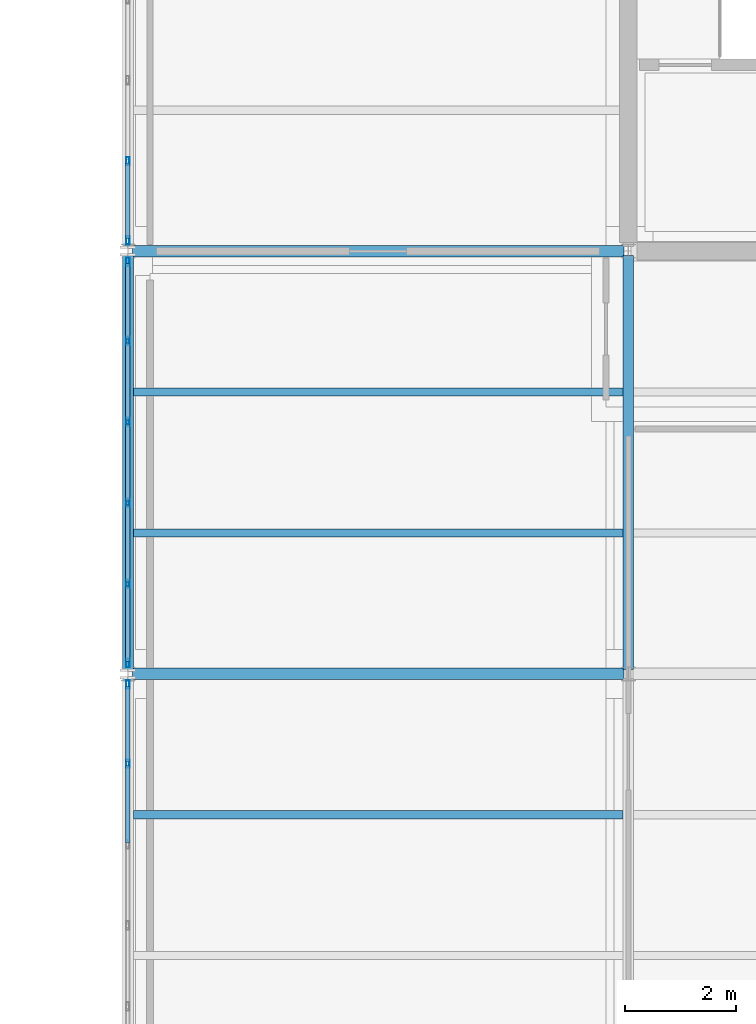
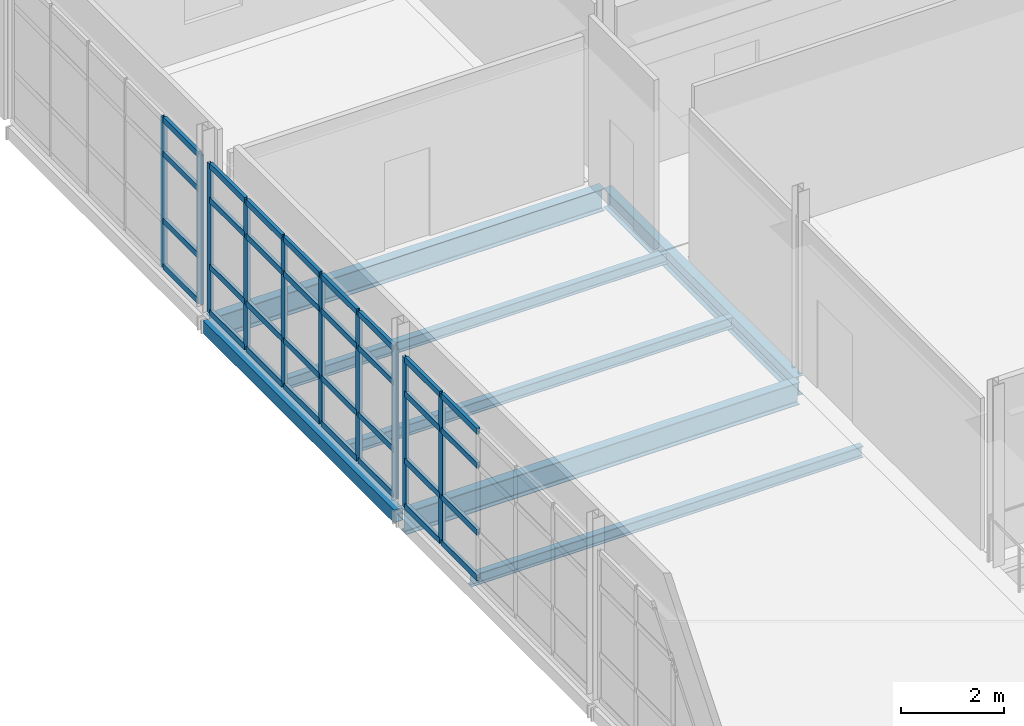
# One storey, part 25 of 48: 42 members, 7 beams, 3 elements without a shape of their own.
"""IFC4 building model written with IfcOpenShell, lengths in metres."""

from ifc_helpers import new_model, si_unit, direction, frame, origin, origin_2d, place, context, subcontext, project, spatial, hollow_rectangle, i_section, extrude, material, material_profile, profile_set, type_object, element, aggregate, save


model = new_model("IFC4")

# Units and contexts
model_context = context("Model", 3, precision=1e-05, world=origin(), true_north=direction((0.0, 1.0)))
body_context = subcontext(model_context, "Body", "Model", "MODEL_VIEW")
ifc_project = project(units=[si_unit("LENGTHUNIT", "METRE"), si_unit("AREAUNIT", "SQUARE_METRE"), si_unit("VOLUMEUNIT", "CUBIC_METRE"), si_unit("PLANEANGLEUNIT", "RADIAN"), si_unit("MASSUNIT", "GRAM", prefix="KILO")], contexts=[model_context])

# Site, building, storey
site_placement = place(None, origin())
site = spatial("IfcSite", under=ifc_project, at=site_placement, CompositionType="ELEMENT")
building_placement = place(site_placement, origin())
building = spatial("IfcBuilding", under=site, at=building_placement, Name="Caisbarro Railhouse Central Library", CompositionType="ELEMENT")
storey_placement = place(building_placement, frame((0.0, 0.0, 18.0)))
storey = spatial("IfcBuildingStorey", under=building, at=storey_placement, Name="L04", CompositionType="ELEMENT", Elevation=18.0)

# Beams
ifc_material_1 = material(Name="Steel ASTM A572 Grade 50", Category="steel")
ifc_material_profile_1 = material_profile(ifc_material_1, i_section(OverallWidth=0.208984375, OverallDepth=0.532958984375, WebThickness=0.01025390625, FlangeThickness=0.015625, FilletRadius=0.02001953125, at=origin_2d()), Name="W530X92.0")
ifc_profile_set_1 = profile_set([ifc_material_profile_1], Name="Steel ASTM A572 Grade 50")
beam_type_1 = type_object("IfcBeamType", Name="BM-G06", PredefinedType="BEAM", material=ifc_profile_set_1)
for number, where, z_axis, x_axis, name in (
    (1, (117.080078125, 98.800048828125, -0.486572265625), (1.0, 0.0, 0.0), (0.0, 1.0, 0.0), "G06 beam L04 #2085"),
    (2, (117.080078125, 106.39990234375, -0.486572265625), (1.0, 0.0, 0.0), (0.0, 1.0, 0.0), "G06 beam L04 #2088"),
):
    element("IfcBeam", number, at=place(storey_placement, frame(where, z_axis=z_axis, x_axis=x_axis)), inside=storey, type_object=beam_type_1, Name=name, PredefinedType="BEAM", context=body_context, shape_type="SweptSolid", body=[
        extrude(i_section(OverallWidth=0.208984375, OverallDepth=0.532958984375, WebThickness=0.01025390625, FlangeThickness=0.015625, FilletRadius=0.02001953125, at=origin_2d()), origin(), (0.0, 0.0, 1.0), 8.83984375),
    ])
ifc_material_profile_2 = material_profile(ifc_material_1, i_section(OverallWidth=0.18994140625, OverallDepth=0.45703125, WebThickness=0.009033203125, FlangeThickness=0.014404296875, FilletRadius=0.01806640625, at=origin_2d()), Name="W460X74.0")
ifc_profile_set_2 = profile_set([ifc_material_profile_2], Name="Steel ASTM A572 Grade 50")
beam_type_2 = type_object("IfcBeamType", Name="BM-G08", PredefinedType="BEAM", material=ifc_profile_set_2)
beam_1_placement = place(storey_placement, frame((126.0, 98.8798828125, -0.448486328125), z_axis=(0.0, 1.0, 0.0), x_axis=(-1.0, 0.0, 0.0)))
element("IfcBeam", 3, at=beam_1_placement, inside=storey, type_object=beam_type_2, Name="G08 beam L04 #2104", PredefinedType="BEAM", context=body_context, shape_type="SweptSolid", body=[
    extrude(i_section(OverallWidth=0.18994140625, OverallDepth=0.45703125, WebThickness=0.009033203125, FlangeThickness=0.014404296875, FilletRadius=0.01806640625, at=origin_2d()), origin(), (0.0, 0.0, 1.0), 7.440185546875),
])
ifc_material_profile_3 = material_profile(ifc_material_1, i_section(OverallWidth=0.14794921875, OverallDepth=0.26611328125, WebThickness=0.007568359375, FlangeThickness=0.012939453125, FilletRadius=0.010009765625, at=origin_2d()), Name="W250X44.8")
ifc_profile_set_3 = profile_set([ifc_material_profile_3], Name="Steel ASTM A572 Grade 50")
beam_type_3 = type_object("IfcBeamType", Name="BM-J04", PredefinedType="JOIST", material=ifc_profile_set_3)
for number, where, z_axis, x_axis, name in (
    (4, (117.10009765625, 96.2666015625, -0.35302734375), (1.0, 0.0, 0.0), (0.0, 1.0, 0.0), "J04 beam L04 #2123"),
    (5, (117.10009765625, 101.333251953125, -0.35302734375), (1.0, 0.0, 0.0), (0.0, 1.0, 0.0), "J04 beam L04 #2124"),
    (6, (117.10009765625, 103.86669921875, -0.35302734375), (1.0, 0.0, 0.0), (0.0, 1.0, 0.0), "J04 beam L04 #2125"),
):
    element("IfcBeam", number, at=place(storey_placement, frame(where, z_axis=z_axis, x_axis=x_axis)), inside=storey, type_object=beam_type_3, Name=name, PredefinedType="JOIST", context=body_context, shape_type="SweptSolid", body=[
        extrude(i_section(OverallWidth=0.14794921875, OverallDepth=0.26611328125, WebThickness=0.007568359375, FlangeThickness=0.012939453125, FilletRadius=0.010009765625, at=origin_2d()), origin(), (0.0, 0.0, 1.0), 8.804931640625),
    ])
ifc_material_profile_4 = material_profile(ifc_material_1, hollow_rectangle(XDim=0.199951171875, YDim=0.300048828125, WallThickness=0.012451171875, at=origin_2d()), Name="HSS300X200X12.5")
ifc_profile_set_4 = profile_set([ifc_material_profile_4], Name="Steel ASTM A572 Grade 50")
beam_type_4 = type_object("IfcBeamType", Name="BM-SP02", PredefinedType="SPANDREL", material=ifc_profile_set_4)
beam_2_placement = place(storey_placement, frame((117.0, 98.8798828125, -0.3701171875), z_axis=(0.0, 1.0, 0.0), x_axis=(-1.0, 0.0, 0.0)))
element("IfcBeam", 7, at=beam_2_placement, inside=storey, type_object=beam_type_4, Name="SP02 beam L04 #2098", PredefinedType="SPANDREL", context=body_context, shape_type="SweptSolid", body=[
    extrude(hollow_rectangle(XDim=0.199951171875, YDim=0.300048828125, WallThickness=0.012451171875, at=origin_2d()), origin(), (0.0, 0.0, 1.0), 7.440185546875),
])

# Curtain wall, members
ifc_material_2 = material(Name="Anodised architectural aluminium", Category="aluminium")
curtain_wall_type = type_object("IfcCurtainWallType", Name="CW-CW02", PredefinedType="NOTDEFINED", material=ifc_material_2)
curtain_wall_1_placement = place(storey_placement, origin())
curtain_wall_1 = element("IfcCurtainWall", 8, at=curtain_wall_1_placement, inside=storey, type_object=curtain_wall_type, Name="CW02 curtain wall L04 #158", PredefinedType="NOTDEFINED")
ifc_material_profile_5 = material_profile(ifc_material_2, hollow_rectangle(XDim=0.06494140625, YDim=0.14990234375, WallThickness=0.00390625, at=origin_2d()), Name="ALU-MUL-65X150")
ifc_profile_set_5 = profile_set([ifc_material_profile_5], Name="Anodised architectural aluminium")
member_type_1 = type_object("IfcMemberType", Name="CWM-M02", PredefinedType="MULLION", material=ifc_profile_set_5)
member_1_placement = place(storey_placement, frame((117.0, 97.18408203125, 0.0), z_axis=(0.0, 0.0, 1.0), x_axis=(-1.0, 0.0, 0.0)))
member_1 = element("IfcMember", 9, at=member_1_placement, type_object=member_type_1, Name="CW02 mullion 5", PredefinedType="MULLION", context=body_context, shape_type="SweptSolid", body=[
    extrude(hollow_rectangle(XDim=0.06494140625, YDim=0.14990234375, WallThickness=0.00390625, at=origin_2d()), origin(), (0.0, 0.0, 1.0), 3.56005859375),
])
member_2_placement = place(storey_placement, frame((117.0, 98.607421875, 0.0), z_axis=(0.0, 0.0, 1.0), x_axis=(-1.0, 0.0, 0.0)))
member_2 = element("IfcMember", 10, at=member_2_placement, type_object=member_type_1, Name="CW02 mullion 6", PredefinedType="MULLION", context=body_context, shape_type="SweptSolid", body=[
    extrude(hollow_rectangle(XDim=0.06494140625, YDim=0.14990234375, WallThickness=0.00390625, at=origin_2d()), origin(), (0.0, 0.0, 1.0), 3.56005859375),
])

curtain_wall_2_placement = place(storey_placement, origin())
curtain_wall_2 = element("IfcCurtainWall", 11, at=curtain_wall_2_placement, inside=storey, type_object=curtain_wall_type, Name="CW02 curtain wall L04 #159", PredefinedType="NOTDEFINED")
member_3_placement = place(storey_placement, frame((117.0, 98.992431640625, 0.0), z_axis=(0.0, 0.0, 1.0), x_axis=(-1.0, 0.0, 0.0)))
member_3 = element("IfcMember", 12, at=member_3_placement, type_object=member_type_1, Name="CW02 mullion 1", PredefinedType="MULLION", context=body_context, shape_type="SweptSolid", body=[
    extrude(hollow_rectangle(XDim=0.06494140625, YDim=0.14990234375, WallThickness=0.00390625, at=origin_2d()), origin(), (0.0, 0.0, 1.0), 3.56005859375),
])
member_4_placement = place(storey_placement, frame((117.0, 100.416015625, 0.0), z_axis=(0.0, 0.0, 1.0), x_axis=(-1.0, 0.0, 0.0)))
member_4 = element("IfcMember", 13, at=member_4_placement, type_object=member_type_1, Name="CW02 mullion 2", PredefinedType="MULLION", context=body_context, shape_type="SweptSolid", body=[
    extrude(hollow_rectangle(XDim=0.06494140625, YDim=0.14990234375, WallThickness=0.00390625, at=origin_2d()), origin(), (0.0, 0.0, 1.0), 3.56005859375),
])
member_5_placement = place(storey_placement, frame((117.0, 101.8720703125, 0.0), z_axis=(0.0, 0.0, 1.0), x_axis=(-1.0, 0.0, 0.0)))
member_5 = element("IfcMember", 14, at=member_5_placement, type_object=member_type_1, Name="CW02 mullion 3", PredefinedType="MULLION", context=body_context, shape_type="SweptSolid", body=[
    extrude(hollow_rectangle(XDim=0.06494140625, YDim=0.14990234375, WallThickness=0.00390625, at=origin_2d()), origin(), (0.0, 0.0, 1.0), 3.56005859375),
])
member_6_placement = place(storey_placement, frame((117.0, 103.327880859375, 0.0), z_axis=(0.0, 0.0, 1.0), x_axis=(-1.0, 0.0, 0.0)))
member_6 = element("IfcMember", 15, at=member_6_placement, type_object=member_type_1, Name="CW02 mullion 4", PredefinedType="MULLION", context=body_context, shape_type="SweptSolid", body=[
    extrude(hollow_rectangle(XDim=0.06494140625, YDim=0.14990234375, WallThickness=0.00390625, at=origin_2d()), origin(), (0.0, 0.0, 1.0), 3.56005859375),
])
member_7_placement = place(storey_placement, frame((117.0, 104.783935546875, 0.0), z_axis=(0.0, 0.0, 1.0), x_axis=(-1.0, 0.0, 0.0)))
member_7 = element("IfcMember", 16, at=member_7_placement, type_object=member_type_1, Name="CW02 mullion 5", PredefinedType="MULLION", context=body_context, shape_type="SweptSolid", body=[
    extrude(hollow_rectangle(XDim=0.06494140625, YDim=0.14990234375, WallThickness=0.00390625, at=origin_2d()), origin(), (0.0, 0.0, 1.0), 3.56005859375),
])
member_8_placement = place(storey_placement, frame((117.0, 106.20751953125, 0.0), z_axis=(0.0, 0.0, 1.0), x_axis=(-1.0, 0.0, 0.0)))
member_8 = element("IfcMember", 17, at=member_8_placement, type_object=member_type_1, Name="CW02 mullion 6", PredefinedType="MULLION", context=body_context, shape_type="SweptSolid", body=[
    extrude(hollow_rectangle(XDim=0.06494140625, YDim=0.14990234375, WallThickness=0.00390625, at=origin_2d()), origin(), (0.0, 0.0, 1.0), 3.56005859375),
])

curtain_wall_3_placement = place(storey_placement, origin())
curtain_wall_3 = element("IfcCurtainWall", 18, at=curtain_wall_3_placement, inside=storey, type_object=curtain_wall_type, Name="CW02 curtain wall L04 #160", PredefinedType="NOTDEFINED")
member_9_placement = place(storey_placement, frame((117.0, 106.592529296875, 0.0), z_axis=(0.0, 0.0, 1.0), x_axis=(-1.0, 0.0, 0.0)))
member_9 = element("IfcMember", 19, at=member_9_placement, type_object=member_type_1, Name="CW02 mullion 1", PredefinedType="MULLION", context=body_context, shape_type="SweptSolid", body=[
    extrude(hollow_rectangle(XDim=0.06494140625, YDim=0.14990234375, WallThickness=0.00390625, at=origin_2d()), origin(), (0.0, 0.0, 1.0), 3.56005859375),
])
member_10_placement = place(storey_placement, frame((117.0, 108.01611328125, 0.0), z_axis=(0.0, 0.0, 1.0), x_axis=(-1.0, 0.0, 0.0)))
member_10 = element("IfcMember", 20, at=member_10_placement, type_object=member_type_1, Name="CW02 mullion 2", PredefinedType="MULLION", context=body_context, shape_type="SweptSolid", body=[
    extrude(hollow_rectangle(XDim=0.06494140625, YDim=0.14990234375, WallThickness=0.00390625, at=origin_2d()), origin(), (0.0, 0.0, 1.0), 3.56005859375),
])

# Member
ifc_material_profile_6 = material_profile(ifc_material_2, hollow_rectangle(XDim=0.074951171875, YDim=0.139892578125, WallThickness=0.00390625, at=origin_2d()), Name="ALU-TRN-75X140")
ifc_profile_set_6 = profile_set([ifc_material_profile_6], Name="Anodised architectural aluminium")
member_type_2 = type_object("IfcMemberType", Name="CWT-T01", PredefinedType="USERDEFINED", material=ifc_profile_set_6)
member_11_placement = place(storey_placement, frame((117.0, 95.760498046875, 0.03759765625), z_axis=(0.0, 1.0, 0.0), x_axis=(-1.0, 0.0, 0.0)))
member_11 = element("IfcMember", 21, at=member_11_placement, type_object=member_type_2, Name="CW02 transom 4.1", ObjectType="TRANSOM", PredefinedType="USERDEFINED", context=body_context, shape_type="SweptSolid", body=[
    extrude(hollow_rectangle(XDim=0.074951171875, YDim=0.139892578125, WallThickness=0.00390625, at=origin_2d()), origin(), (0.0, 0.0, 1.0), 1.39111328125),
])

member_12_placement = place(storey_placement, frame((117.0, 95.760498046875, 1.1201171875), z_axis=(0.0, 1.0, 0.0), x_axis=(-1.0, 0.0, 0.0)))
member_12 = element("IfcMember", 22, at=member_12_placement, type_object=member_type_2, Name="CW02 transom 4.2", ObjectType="TRANSOM", PredefinedType="USERDEFINED", context=body_context, shape_type="SweptSolid", body=[
    extrude(hollow_rectangle(XDim=0.074951171875, YDim=0.139892578125, WallThickness=0.00390625, at=origin_2d()), origin(), (0.0, 0.0, 1.0), 1.39111328125),
])

member_13_placement = place(storey_placement, frame((117.0, 95.760498046875, 2.7099609375), z_axis=(0.0, 1.0, 0.0), x_axis=(-1.0, 0.0, 0.0)))
member_13 = element("IfcMember", 23, at=member_13_placement, type_object=member_type_2, Name="CW02 transom 4.3", ObjectType="TRANSOM", PredefinedType="USERDEFINED", context=body_context, shape_type="SweptSolid", body=[
    extrude(hollow_rectangle(XDim=0.074951171875, YDim=0.139892578125, WallThickness=0.00390625, at=origin_2d()), origin(), (0.0, 0.0, 1.0), 1.39111328125),
])

member_14_placement = place(storey_placement, frame((117.0, 95.760498046875, 3.5224609375), z_axis=(0.0, 1.0, 0.0), x_axis=(-1.0, 0.0, 0.0)))
member_14 = element("IfcMember", 24, at=member_14_placement, type_object=member_type_2, Name="CW02 transom 4.4", ObjectType="TRANSOM", PredefinedType="USERDEFINED", context=body_context, shape_type="SweptSolid", body=[
    extrude(hollow_rectangle(XDim=0.074951171875, YDim=0.139892578125, WallThickness=0.00390625, at=origin_2d()), origin(), (0.0, 0.0, 1.0), 1.39111328125),
])

member_15_placement = place(storey_placement, frame((117.0, 97.216552734375, 0.03759765625), z_axis=(0.0, 1.0, 0.0), x_axis=(-1.0, 0.0, 0.0)))
member_15 = element("IfcMember", 25, at=member_15_placement, type_object=member_type_2, Name="CW02 transom 5.1", ObjectType="TRANSOM", PredefinedType="USERDEFINED", context=body_context, shape_type="SweptSolid", body=[
    extrude(hollow_rectangle(XDim=0.074951171875, YDim=0.139892578125, WallThickness=0.00390625, at=origin_2d()), origin(), (0.0, 0.0, 1.0), 1.3583984375),
])

member_16_placement = place(storey_placement, frame((117.0, 97.216552734375, 1.1201171875), z_axis=(0.0, 1.0, 0.0), x_axis=(-1.0, 0.0, 0.0)))
member_16 = element("IfcMember", 26, at=member_16_placement, type_object=member_type_2, Name="CW02 transom 5.2", ObjectType="TRANSOM", PredefinedType="USERDEFINED", context=body_context, shape_type="SweptSolid", body=[
    extrude(hollow_rectangle(XDim=0.074951171875, YDim=0.139892578125, WallThickness=0.00390625, at=origin_2d()), origin(), (0.0, 0.0, 1.0), 1.3583984375),
])

member_17_placement = place(storey_placement, frame((117.0, 97.216552734375, 2.7099609375), z_axis=(0.0, 1.0, 0.0), x_axis=(-1.0, 0.0, 0.0)))
member_17 = element("IfcMember", 27, at=member_17_placement, type_object=member_type_2, Name="CW02 transom 5.3", ObjectType="TRANSOM", PredefinedType="USERDEFINED", context=body_context, shape_type="SweptSolid", body=[
    extrude(hollow_rectangle(XDim=0.074951171875, YDim=0.139892578125, WallThickness=0.00390625, at=origin_2d()), origin(), (0.0, 0.0, 1.0), 1.3583984375),
])

member_18_placement = place(storey_placement, frame((117.0, 97.216552734375, 3.5224609375), z_axis=(0.0, 1.0, 0.0), x_axis=(-1.0, 0.0, 0.0)))
member_18 = element("IfcMember", 28, at=member_18_placement, type_object=member_type_2, Name="CW02 transom 5.4", ObjectType="TRANSOM", PredefinedType="USERDEFINED", context=body_context, shape_type="SweptSolid", body=[
    extrude(hollow_rectangle(XDim=0.074951171875, YDim=0.139892578125, WallThickness=0.00390625, at=origin_2d()), origin(), (0.0, 0.0, 1.0), 1.3583984375),
])

aggregate(curtain_wall_1, [member_1, member_2, member_11, member_12, member_13, member_14, member_15, member_16, member_17, member_18])

member_19_placement = place(storey_placement, frame((117.0, 99.02490234375, 0.03759765625), z_axis=(0.0, 1.0, 0.0), x_axis=(-1.0, 0.0, 0.0)))
member_19 = element("IfcMember", 29, at=member_19_placement, type_object=member_type_2, Name="CW02 transom 1.1", ObjectType="TRANSOM", PredefinedType="USERDEFINED", context=body_context, shape_type="SweptSolid", body=[
    extrude(hollow_rectangle(XDim=0.074951171875, YDim=0.139892578125, WallThickness=0.00390625, at=origin_2d()), origin(), (0.0, 0.0, 1.0), 1.358642578125),
])

member_20_placement = place(storey_placement, frame((117.0, 99.02490234375, 1.1201171875), z_axis=(0.0, 1.0, 0.0), x_axis=(-1.0, 0.0, 0.0)))
member_20 = element("IfcMember", 30, at=member_20_placement, type_object=member_type_2, Name="CW02 transom 1.2", ObjectType="TRANSOM", PredefinedType="USERDEFINED", context=body_context, shape_type="SweptSolid", body=[
    extrude(hollow_rectangle(XDim=0.074951171875, YDim=0.139892578125, WallThickness=0.00390625, at=origin_2d()), origin(), (0.0, 0.0, 1.0), 1.358642578125),
])

member_21_placement = place(storey_placement, frame((117.0, 99.02490234375, 2.7099609375), z_axis=(0.0, 1.0, 0.0), x_axis=(-1.0, 0.0, 0.0)))
member_21 = element("IfcMember", 31, at=member_21_placement, type_object=member_type_2, Name="CW02 transom 1.3", ObjectType="TRANSOM", PredefinedType="USERDEFINED", context=body_context, shape_type="SweptSolid", body=[
    extrude(hollow_rectangle(XDim=0.074951171875, YDim=0.139892578125, WallThickness=0.00390625, at=origin_2d()), origin(), (0.0, 0.0, 1.0), 1.358642578125),
])

member_22_placement = place(storey_placement, frame((117.0, 99.02490234375, 3.5224609375), z_axis=(0.0, 1.0, 0.0), x_axis=(-1.0, 0.0, 0.0)))
member_22 = element("IfcMember", 32, at=member_22_placement, type_object=member_type_2, Name="CW02 transom 1.4", ObjectType="TRANSOM", PredefinedType="USERDEFINED", context=body_context, shape_type="SweptSolid", body=[
    extrude(hollow_rectangle(XDim=0.074951171875, YDim=0.139892578125, WallThickness=0.00390625, at=origin_2d()), origin(), (0.0, 0.0, 1.0), 1.358642578125),
])

member_23_placement = place(storey_placement, frame((117.0, 100.448486328125, 0.03759765625), z_axis=(0.0, 1.0, 0.0), x_axis=(-1.0, 0.0, 0.0)))
member_23 = element("IfcMember", 33, at=member_23_placement, type_object=member_type_2, Name="CW02 transom 2.1", ObjectType="TRANSOM", PredefinedType="USERDEFINED", context=body_context, shape_type="SweptSolid", body=[
    extrude(hollow_rectangle(XDim=0.074951171875, YDim=0.139892578125, WallThickness=0.00390625, at=origin_2d()), origin(), (0.0, 0.0, 1.0), 1.39111328125),
])

member_24_placement = place(storey_placement, frame((117.0, 100.448486328125, 1.1201171875), z_axis=(0.0, 1.0, 0.0), x_axis=(-1.0, 0.0, 0.0)))
member_24 = element("IfcMember", 34, at=member_24_placement, type_object=member_type_2, Name="CW02 transom 2.2", ObjectType="TRANSOM", PredefinedType="USERDEFINED", context=body_context, shape_type="SweptSolid", body=[
    extrude(hollow_rectangle(XDim=0.074951171875, YDim=0.139892578125, WallThickness=0.00390625, at=origin_2d()), origin(), (0.0, 0.0, 1.0), 1.39111328125),
])

member_25_placement = place(storey_placement, frame((117.0, 100.448486328125, 2.7099609375), z_axis=(0.0, 1.0, 0.0), x_axis=(-1.0, 0.0, 0.0)))
member_25 = element("IfcMember", 35, at=member_25_placement, type_object=member_type_2, Name="CW02 transom 2.3", ObjectType="TRANSOM", PredefinedType="USERDEFINED", context=body_context, shape_type="SweptSolid", body=[
    extrude(hollow_rectangle(XDim=0.074951171875, YDim=0.139892578125, WallThickness=0.00390625, at=origin_2d()), origin(), (0.0, 0.0, 1.0), 1.39111328125),
])

member_26_placement = place(storey_placement, frame((117.0, 100.448486328125, 3.5224609375), z_axis=(0.0, 1.0, 0.0), x_axis=(-1.0, 0.0, 0.0)))
member_26 = element("IfcMember", 36, at=member_26_placement, type_object=member_type_2, Name="CW02 transom 2.4", ObjectType="TRANSOM", PredefinedType="USERDEFINED", context=body_context, shape_type="SweptSolid", body=[
    extrude(hollow_rectangle(XDim=0.074951171875, YDim=0.139892578125, WallThickness=0.00390625, at=origin_2d()), origin(), (0.0, 0.0, 1.0), 1.39111328125),
])

member_27_placement = place(storey_placement, frame((117.0, 101.904541015625, 0.03759765625), z_axis=(0.0, 1.0, 0.0), x_axis=(-1.0, 0.0, 0.0)))
member_27 = element("IfcMember", 37, at=member_27_placement, type_object=member_type_2, Name="CW02 transom 3.1", ObjectType="TRANSOM", PredefinedType="USERDEFINED", context=body_context, shape_type="SweptSolid", body=[
    extrude(hollow_rectangle(XDim=0.074951171875, YDim=0.139892578125, WallThickness=0.00390625, at=origin_2d()), origin(), (0.0, 0.0, 1.0), 1.390869140625),
])

member_28_placement = place(storey_placement, frame((117.0, 101.904541015625, 1.1201171875), z_axis=(0.0, 1.0, 0.0), x_axis=(-1.0, 0.0, 0.0)))
member_28 = element("IfcMember", 38, at=member_28_placement, type_object=member_type_2, Name="CW02 transom 3.2", ObjectType="TRANSOM", PredefinedType="USERDEFINED", context=body_context, shape_type="SweptSolid", body=[
    extrude(hollow_rectangle(XDim=0.074951171875, YDim=0.139892578125, WallThickness=0.00390625, at=origin_2d()), origin(), (0.0, 0.0, 1.0), 1.390869140625),
])

member_29_placement = place(storey_placement, frame((117.0, 101.904541015625, 2.7099609375), z_axis=(0.0, 1.0, 0.0), x_axis=(-1.0, 0.0, 0.0)))
member_29 = element("IfcMember", 39, at=member_29_placement, type_object=member_type_2, Name="CW02 transom 3.3", ObjectType="TRANSOM", PredefinedType="USERDEFINED", context=body_context, shape_type="SweptSolid", body=[
    extrude(hollow_rectangle(XDim=0.074951171875, YDim=0.139892578125, WallThickness=0.00390625, at=origin_2d()), origin(), (0.0, 0.0, 1.0), 1.390869140625),
])

member_30_placement = place(storey_placement, frame((117.0, 101.904541015625, 3.5224609375), z_axis=(0.0, 1.0, 0.0), x_axis=(-1.0, 0.0, 0.0)))
member_30 = element("IfcMember", 40, at=member_30_placement, type_object=member_type_2, Name="CW02 transom 3.4", ObjectType="TRANSOM", PredefinedType="USERDEFINED", context=body_context, shape_type="SweptSolid", body=[
    extrude(hollow_rectangle(XDim=0.074951171875, YDim=0.139892578125, WallThickness=0.00390625, at=origin_2d()), origin(), (0.0, 0.0, 1.0), 1.390869140625),
])

member_31_placement = place(storey_placement, frame((117.0, 103.360595703125, 0.03759765625), z_axis=(0.0, 1.0, 0.0), x_axis=(-1.0, 0.0, 0.0)))
member_31 = element("IfcMember", 41, at=member_31_placement, type_object=member_type_2, Name="CW02 transom 4.1", ObjectType="TRANSOM", PredefinedType="USERDEFINED", context=body_context, shape_type="SweptSolid", body=[
    extrude(hollow_rectangle(XDim=0.074951171875, YDim=0.139892578125, WallThickness=0.00390625, at=origin_2d()), origin(), (0.0, 0.0, 1.0), 1.390869140625),
])

member_32_placement = place(storey_placement, frame((117.0, 103.360595703125, 1.1201171875), z_axis=(0.0, 1.0, 0.0), x_axis=(-1.0, 0.0, 0.0)))
member_32 = element("IfcMember", 42, at=member_32_placement, type_object=member_type_2, Name="CW02 transom 4.2", ObjectType="TRANSOM", PredefinedType="USERDEFINED", context=body_context, shape_type="SweptSolid", body=[
    extrude(hollow_rectangle(XDim=0.074951171875, YDim=0.139892578125, WallThickness=0.00390625, at=origin_2d()), origin(), (0.0, 0.0, 1.0), 1.390869140625),
])

member_33_placement = place(storey_placement, frame((117.0, 103.360595703125, 2.7099609375), z_axis=(0.0, 1.0, 0.0), x_axis=(-1.0, 0.0, 0.0)))
member_33 = element("IfcMember", 43, at=member_33_placement, type_object=member_type_2, Name="CW02 transom 4.3", ObjectType="TRANSOM", PredefinedType="USERDEFINED", context=body_context, shape_type="SweptSolid", body=[
    extrude(hollow_rectangle(XDim=0.074951171875, YDim=0.139892578125, WallThickness=0.00390625, at=origin_2d()), origin(), (0.0, 0.0, 1.0), 1.390869140625),
])

member_34_placement = place(storey_placement, frame((117.0, 103.360595703125, 3.5224609375), z_axis=(0.0, 1.0, 0.0), x_axis=(-1.0, 0.0, 0.0)))
member_34 = element("IfcMember", 44, at=member_34_placement, type_object=member_type_2, Name="CW02 transom 4.4", ObjectType="TRANSOM", PredefinedType="USERDEFINED", context=body_context, shape_type="SweptSolid", body=[
    extrude(hollow_rectangle(XDim=0.074951171875, YDim=0.139892578125, WallThickness=0.00390625, at=origin_2d()), origin(), (0.0, 0.0, 1.0), 1.390869140625),
])

member_35_placement = place(storey_placement, frame((117.0, 104.81640625, 0.03759765625), z_axis=(0.0, 1.0, 0.0), x_axis=(-1.0, 0.0, 0.0)))
member_35 = element("IfcMember", 45, at=member_35_placement, type_object=member_type_2, Name="CW02 transom 5.1", ObjectType="TRANSOM", PredefinedType="USERDEFINED", context=body_context, shape_type="SweptSolid", body=[
    extrude(hollow_rectangle(XDim=0.074951171875, YDim=0.139892578125, WallThickness=0.00390625, at=origin_2d()), origin(), (0.0, 0.0, 1.0), 1.358642578125),
])

member_36_placement = place(storey_placement, frame((117.0, 104.81640625, 1.1201171875), z_axis=(0.0, 1.0, 0.0), x_axis=(-1.0, 0.0, 0.0)))
member_36 = element("IfcMember", 46, at=member_36_placement, type_object=member_type_2, Name="CW02 transom 5.2", ObjectType="TRANSOM", PredefinedType="USERDEFINED", context=body_context, shape_type="SweptSolid", body=[
    extrude(hollow_rectangle(XDim=0.074951171875, YDim=0.139892578125, WallThickness=0.00390625, at=origin_2d()), origin(), (0.0, 0.0, 1.0), 1.358642578125),
])

member_37_placement = place(storey_placement, frame((117.0, 104.81640625, 2.7099609375), z_axis=(0.0, 1.0, 0.0), x_axis=(-1.0, 0.0, 0.0)))
member_37 = element("IfcMember", 47, at=member_37_placement, type_object=member_type_2, Name="CW02 transom 5.3", ObjectType="TRANSOM", PredefinedType="USERDEFINED", context=body_context, shape_type="SweptSolid", body=[
    extrude(hollow_rectangle(XDim=0.074951171875, YDim=0.139892578125, WallThickness=0.00390625, at=origin_2d()), origin(), (0.0, 0.0, 1.0), 1.358642578125),
])

member_38_placement = place(storey_placement, frame((117.0, 104.81640625, 3.5224609375), z_axis=(0.0, 1.0, 0.0), x_axis=(-1.0, 0.0, 0.0)))
member_38 = element("IfcMember", 48, at=member_38_placement, type_object=member_type_2, Name="CW02 transom 5.4", ObjectType="TRANSOM", PredefinedType="USERDEFINED", context=body_context, shape_type="SweptSolid", body=[
    extrude(hollow_rectangle(XDim=0.074951171875, YDim=0.139892578125, WallThickness=0.00390625, at=origin_2d()), origin(), (0.0, 0.0, 1.0), 1.358642578125),
])

aggregate(curtain_wall_2, [member_3, member_4, member_5, member_6, member_7, member_8, member_19, member_20, member_21, member_22, member_23, member_24, member_25, member_26, member_27, member_28, member_29, member_30, member_31, member_32, member_33, member_34, member_35, member_36, member_37, member_38])

member_39_placement = place(storey_placement, frame((117.0, 106.625, 0.03759765625), z_axis=(0.0, 1.0, 0.0), x_axis=(-1.0, 0.0, 0.0)))
member_39 = element("IfcMember", 49, at=member_39_placement, type_object=member_type_2, Name="CW02 transom 1.1", ObjectType="TRANSOM", PredefinedType="USERDEFINED", context=body_context, shape_type="SweptSolid", body=[
    extrude(hollow_rectangle(XDim=0.074951171875, YDim=0.139892578125, WallThickness=0.00390625, at=origin_2d()), origin(), (0.0, 0.0, 1.0), 1.3583984375),
])

member_40_placement = place(storey_placement, frame((117.0, 106.625, 1.1201171875), z_axis=(0.0, 1.0, 0.0), x_axis=(-1.0, 0.0, 0.0)))
member_40 = element("IfcMember", 50, at=member_40_placement, type_object=member_type_2, Name="CW02 transom 1.2", ObjectType="TRANSOM", PredefinedType="USERDEFINED", context=body_context, shape_type="SweptSolid", body=[
    extrude(hollow_rectangle(XDim=0.074951171875, YDim=0.139892578125, WallThickness=0.00390625, at=origin_2d()), origin(), (0.0, 0.0, 1.0), 1.3583984375),
])

member_41_placement = place(storey_placement, frame((117.0, 106.625, 2.7099609375), z_axis=(0.0, 1.0, 0.0), x_axis=(-1.0, 0.0, 0.0)))
member_41 = element("IfcMember", 51, at=member_41_placement, type_object=member_type_2, Name="CW02 transom 1.3", ObjectType="TRANSOM", PredefinedType="USERDEFINED", context=body_context, shape_type="SweptSolid", body=[
    extrude(hollow_rectangle(XDim=0.074951171875, YDim=0.139892578125, WallThickness=0.00390625, at=origin_2d()), origin(), (0.0, 0.0, 1.0), 1.3583984375),
])

member_42_placement = place(storey_placement, frame((117.0, 106.625, 3.5224609375), z_axis=(0.0, 1.0, 0.0), x_axis=(-1.0, 0.0, 0.0)))
member_42 = element("IfcMember", 52, at=member_42_placement, type_object=member_type_2, Name="CW02 transom 1.4", ObjectType="TRANSOM", PredefinedType="USERDEFINED", context=body_context, shape_type="SweptSolid", body=[
    extrude(hollow_rectangle(XDim=0.074951171875, YDim=0.139892578125, WallThickness=0.00390625, at=origin_2d()), origin(), (0.0, 0.0, 1.0), 1.3583984375),
])

aggregate(curtain_wall_3, [member_9, member_10, member_39, member_40, member_41, member_42])

save(model, "model.ifc")
